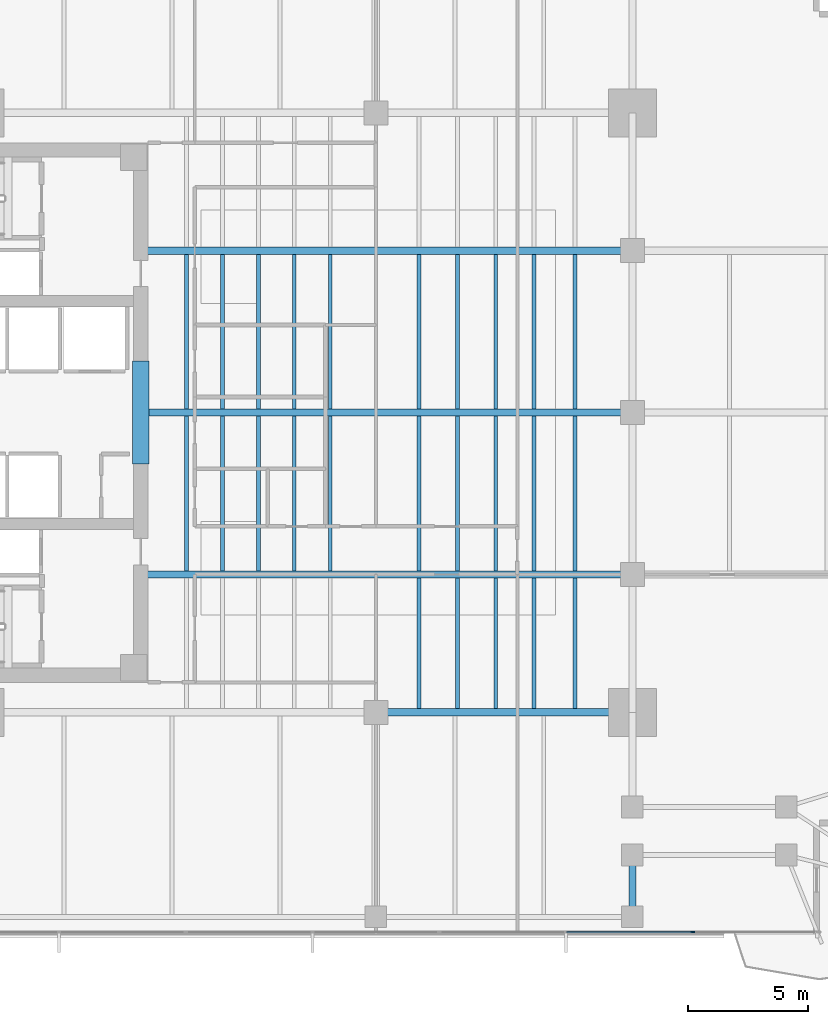
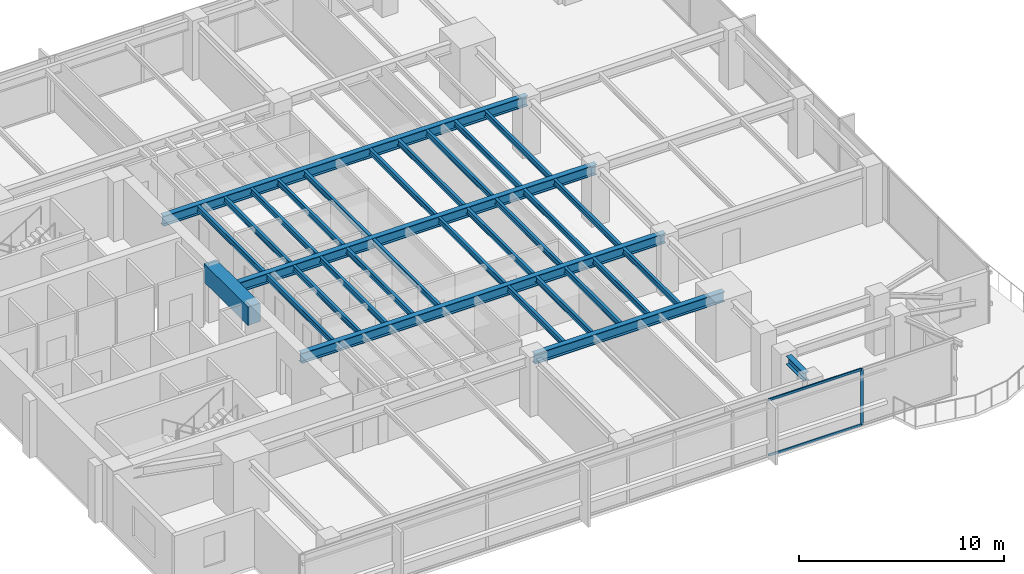
# One storey, part 3 of 14: 31 beams, 3 members, 1 element without a shape of its own.
"""IFC4 building model written with IfcOpenShell, lengths in metres."""

from ifc_helpers import new_model, si_unit, direction, frame, origin, origin_2d, place, context, subcontext, project, spatial, rectangle, i_section, extrude, material, layer, layer_set, material_profile, profile_set, type_object, element, aggregate, save


model = new_model("IFC4")

# Units and contexts
model_context = context("Model", 3, precision=1e-05, world=origin(), true_north=direction((0.0, 1.0)))
body_context = subcontext(model_context, "Body", "Model", "MODEL_VIEW")
ifc_project = project(units=[si_unit("LENGTHUNIT", "METRE"), si_unit("AREAUNIT", "SQUARE_METRE"), si_unit("VOLUMEUNIT", "CUBIC_METRE"), si_unit("PLANEANGLEUNIT", "RADIAN"), si_unit("MASSUNIT", "GRAM", prefix="KILO")], contexts=[model_context])

# Site, building, storey
site_placement = place(None, origin())
site = spatial("IfcSite", under=ifc_project, at=site_placement, CompositionType="ELEMENT")
building_placement = place(site_placement, origin())
building = spatial("IfcBuilding", under=site, at=building_placement, Name="Kinhvarn Gate Tower", CompositionType="ELEMENT")
storey_placement = place(building_placement, frame((0.0, 0.0, 141.300048828125)))
storey = spatial("IfcBuildingStorey", under=building, at=storey_placement, Name="L37", CompositionType="ELEMENT", Elevation=141.300048828125)

# Beam
ifc_material_1 = material(Name="Concrete C70/85", Category="concrete")
ifc_material_profile_1 = material_profile(ifc_material_1, rectangle(XDim=0.699951171875, YDim=1.10009765625, at=origin_2d()), Name="RC 700x1100")
ifc_profile_set_1 = profile_set([ifc_material_profile_1], Name="Concrete C70/85")
beam_type_1 = type_object("IfcBeamType", Name="BM-CB-1100", PredefinedType="LINTEL", material=ifc_profile_set_1)
beam_1_placement = place(storey_placement, frame((17.699951171875, 23.10009765625, 2.820068359375), z_axis=(0.0, 1.0, 0.0), x_axis=(-1.0, 0.0, 0.0)))
element("IfcBeam", 1, at=beam_1_placement, inside=storey, type_object=beam_type_1, Name="Core East Portal Coupling Beam L37", PredefinedType="LINTEL", context=body_context, shape_type="SweptSolid", body=[
    extrude(rectangle(XDim=0.699951171875, YDim=1.10009765625, at=origin_2d()), origin(), (0.0, 0.0, 1.0), 4.2998046875),
])

# Curtain wall, members
ifc_material_2 = material(Name="Anodised aluminium AW-6063", Category="aluminium")
ifc_layer = layer(ifc_material_2, 0.179931640625)
ifc_layer_set = layer_set([ifc_layer], Name="Anodised aluminium AW-6063")
curtain_wall_type = type_object("IfcCurtainWallType", Name="CW-SYS-3", PredefinedType="NOTDEFINED", material=ifc_layer_set)
curtain_wall_placement = place(storey_placement, origin())
curtain_wall = element("IfcCurtainWall", 2, at=curtain_wall_placement, inside=storey, type_object=curtain_wall_type, Name="Curtain Wall CW3 (L37)", PredefinedType="NOTDEFINED")
ifc_material_profile_2 = material_profile(ifc_material_2, rectangle(XDim=0.06494140625, YDim=0.159912109375, at=origin_2d()), Name="ALU 65x160")
ifc_profile_set_2 = profile_set([ifc_material_profile_2], Name="Anodised aluminium AW-6063")
member_type_1 = type_object("IfcMemberType", Name="CW-MUL-160", PredefinedType="MULLION", material=ifc_profile_set_2)
member_1_placement = place(storey_placement, frame((40.71435546875, 3.590087890625, 0.0), z_axis=(0.0, 0.0, 1.0), x_axis=(0.0, 1.0, 0.0)))
member_1 = element("IfcMember", 3, at=member_1_placement, type_object=member_type_1, Name="CW3 mullion 7", PredefinedType="MULLION", context=body_context, shape_type="SweptSolid", body=[
    extrude(rectangle(XDim=0.06494140625, YDim=0.159912109375, at=origin_2d()), origin(), (0.0, 0.0, 1.0), 3.369873046875),
])
ifc_material_profile_3 = material_profile(ifc_material_2, rectangle(XDim=0.070068359375, YDim=0.139892578125, at=origin_2d()), Name="ALU 70x140")
ifc_profile_set_3 = profile_set([ifc_material_profile_3], Name="Anodised aluminium AW-6063")
member_type_2 = type_object("IfcMemberType", Name="CW-TRN-140", PredefinedType="USERDEFINED", material=ifc_profile_set_3)
member_2_placement = place(storey_placement, frame((35.461181640625, 3.590087890625, 0.034912109375), z_axis=(1.0, 0.0, 0.0), x_axis=(0.0, 1.0, 0.0)))
member_2 = element("IfcMember", 4, at=member_2_placement, type_object=member_type_2, Name="CW3 transom 6.1", ObjectType="TRANSOM", PredefinedType="USERDEFINED", context=body_context, shape_type="SweptSolid", body=[
    extrude(rectangle(XDim=0.070068359375, YDim=0.139892578125, at=origin_2d()), origin(), (0.0, 0.0, 1.0), 5.220703125),
])
member_3_placement = place(storey_placement, frame((35.461181640625, 3.590087890625, 3.3349609375), z_axis=(1.0, 0.0, 0.0), x_axis=(0.0, 1.0, 0.0)))
member_3 = element("IfcMember", 5, at=member_3_placement, type_object=member_type_2, Name="CW3 transom 6.2", ObjectType="TRANSOM", PredefinedType="USERDEFINED", context=body_context, shape_type="SweptSolid", body=[
    extrude(rectangle(XDim=0.070068359375, YDim=0.139892578125, at=origin_2d()), origin(), (0.0, 0.0, 1.0), 5.220703125),
])
aggregate(curtain_wall, [member_1, member_2, member_3])

# Beams
ifc_material_3 = material(Name="Steel S355", Category="steel")
ifc_material_profile_4 = material_profile(ifc_material_3, i_section(OverallWidth=0.300048828125, OverallDepth=0.5, WebThickness=0.014404296875, FlangeThickness=0.028076171875, at=origin_2d()), Name="HEB 500")
ifc_profile_set_4 = profile_set([ifc_material_profile_4], Name="Steel S355")
beam_type_2 = type_object("IfcBeamType", Name="STL-HEB500", PredefinedType="BEAM", material=ifc_profile_set_4)
beam_2_placement = place(storey_placement, frame((38.199951171875, 4.655029296875, 3.119873046875), z_axis=(0.0, 1.0, 0.0), x_axis=(-1.0, 0.0, 0.0)))
element("IfcBeam", 6, at=beam_2_placement, inside=storey, type_object=beam_type_2, Name="Floor Beam PG-14 (L37 MCE-S-A0)", PredefinedType="BEAM", context=body_context, shape_type="SweptSolid", body=[
    extrude(i_section(OverallWidth=0.300048828125, OverallDepth=0.5, WebThickness=0.014404296875, FlangeThickness=0.028076171875, at=origin_2d()), origin(), (0.0, 0.0, 1.0), 1.7099609375),
])
ifc_material_profile_5 = material_profile(ifc_material_3, i_section(OverallWidth=0.300048828125, OverallDepth=0.60009765625, WebThickness=0.015380859375, FlangeThickness=0.030029296875, at=origin_2d()), Name="HEB 600")
ifc_profile_set_5 = profile_set([ifc_material_profile_5], Name="Steel S355")
beam_type_3 = type_object("IfcBeamType", Name="STL-HEB600", PredefinedType="BEAM", material=ifc_profile_set_5)
beam_3_placement = place(storey_placement, frame((27.5, 12.75, 3.070068359375), z_axis=(1.0, 0.0, 0.0), x_axis=(0.0, 1.0, 0.0)))
element("IfcBeam", 7, at=beam_3_placement, inside=storey, type_object=beam_type_3, Name="Floor Beam PG-16 (L37 MG-S2)", PredefinedType="BEAM", context=body_context, shape_type="SweptSolid", body=[
    extrude(i_section(OverallWidth=0.300048828125, OverallDepth=0.60009765625, WebThickness=0.015380859375, FlangeThickness=0.030029296875, at=origin_2d()), origin(), (0.0, 0.0, 1.0), 10.699951171875),
])
beam_4_placement = place(storey_placement, frame((17.64990234375, 18.5, 3.070068359375), z_axis=(1.0, 0.0, 0.0), x_axis=(0.0, 1.0, 0.0)))
element("IfcBeam", 8, at=beam_4_placement, inside=storey, type_object=beam_type_3, Name="Floor Beam PG-16 (L37 EW1-Y18)", PredefinedType="BEAM", context=body_context, shape_type="SweptSolid", body=[
    extrude(i_section(OverallWidth=0.300048828125, OverallDepth=0.60009765625, WebThickness=0.015380859375, FlangeThickness=0.030029296875, at=origin_2d()), origin(), (0.0, 0.0, 1.0), 20.550048828125),
])
beam_5_placement = place(storey_placement, frame((18.050048828125, 25.25, 3.070068359375), z_axis=(1.0, 0.0, 0.0), x_axis=(0.0, 1.0, 0.0)))
element("IfcBeam", 9, at=beam_5_placement, inside=storey, type_object=beam_type_3, Name="Floor Beam PG-16 (L37 EW1-Y25)", PredefinedType="BEAM", context=body_context, shape_type="SweptSolid", body=[
    extrude(i_section(OverallWidth=0.300048828125, OverallDepth=0.60009765625, WebThickness=0.015380859375, FlangeThickness=0.030029296875, at=origin_2d()), origin(), (0.0, 0.0, 1.0), 20.14990234375),
])
beam_6_placement = place(storey_placement, frame((17.64990234375, 32.0, 3.070068359375), z_axis=(1.0, 0.0, 0.0), x_axis=(0.0, 1.0, 0.0)))
element("IfcBeam", 10, at=beam_6_placement, inside=storey, type_object=beam_type_3, Name="Floor Beam PG-16 (L37 EW1-Y32)", PredefinedType="BEAM", context=body_context, shape_type="SweptSolid", body=[
    extrude(i_section(OverallWidth=0.300048828125, OverallDepth=0.60009765625, WebThickness=0.015380859375, FlangeThickness=0.030029296875, at=origin_2d()), origin(), (0.0, 0.0, 1.0), 20.550048828125),
])
ifc_material_profile_6 = material_profile(ifc_material_3, i_section(OverallWidth=0.159912109375, OverallDepth=0.330078125, WebThickness=0.007568359375, FlangeThickness=0.011474609375, at=origin_2d()), Name="IPE 330")
ifc_profile_set_6 = profile_set([ifc_material_profile_6], Name="Steel S355")
beam_type_4 = type_object("IfcBeamType", Name="STL-IPE330", PredefinedType="JOIST", material=ifc_profile_set_6)
for number, where, z_axis, x_axis, name in (
    (11, (19.60009765625, 18.64990234375, 3.204833984375), (0.0, 1.0, 0.0), (-1.0, 0.0, 0.0), "Floor Joist SB-03 (L37 JC-X196-1)"),
    (12, (19.60009765625, 25.39990234375, 3.204833984375), (0.0, 1.0, 0.0), (-1.0, 0.0, 0.0), "Floor Joist SB-03 (L37 JC-X196-2)"),
    (13, (21.10009765625, 18.64990234375, 3.204833984375), (0.0, 1.0, 0.0), (-1.0, 0.0, 0.0), "Floor Joist SB-03 (L37 JC-X211-1)"),
    (14, (21.10009765625, 25.39990234375, 3.204833984375), (0.0, 1.0, 0.0), (-1.0, 0.0, 0.0), "Floor Joist SB-03 (L37 JC-X211-2)"),
    (15, (22.60009765625, 18.64990234375, 3.204833984375), (0.0, 1.0, 0.0), (-1.0, 0.0, 0.0), "Floor Joist SB-03 (L37 JC-X226-1)"),
    (16, (22.60009765625, 25.39990234375, 3.204833984375), (0.0, 1.0, 0.0), (-1.0, 0.0, 0.0), "Floor Joist SB-03 (L37 JC-X226-2)"),
    (17, (24.10009765625, 18.64990234375, 3.204833984375), (0.0, 1.0, 0.0), (-1.0, 0.0, 0.0), "Floor Joist SB-03 (L37 JC-X241-1)"),
    (18, (24.10009765625, 25.39990234375, 3.204833984375), (0.0, 1.0, 0.0), (-1.0, 0.0, 0.0), "Floor Joist SB-03 (L37 JC-X241-2)"),
    (19, (25.60009765625, 18.64990234375, 3.204833984375), (0.0, 1.0, 0.0), (-1.0, 0.0, 0.0), "Floor Joist SB-03 (L37 JC-X256-1)"),
    (20, (25.60009765625, 25.39990234375, 3.204833984375), (0.0, 1.0, 0.0), (-1.0, 0.0, 0.0), "Floor Joist SB-03 (L37 JC-X256-2)"),
):
    element("IfcBeam", number, at=place(storey_placement, frame(where, z_axis=z_axis, x_axis=x_axis)), inside=storey, type_object=beam_type_4, Name=name, PredefinedType="JOIST", context=body_context, shape_type="SweptSolid", body=[
        extrude(i_section(OverallWidth=0.159912109375, OverallDepth=0.330078125, WebThickness=0.007568359375, FlangeThickness=0.011474609375, at=origin_2d()), origin(), (0.0, 0.0, 1.0), 6.4501953125),
    ])
beam_7_placement = place(storey_placement, frame((29.300048828125, 12.89990234375, 3.204833984375), z_axis=(0.0, 1.0, 0.0), x_axis=(-1.0, 0.0, 0.0)))
element("IfcBeam", 21, at=beam_7_placement, inside=storey, type_object=beam_type_4, Name="Floor Joist SB-03 (L37 JC-X293-0)", PredefinedType="JOIST", context=body_context, shape_type="SweptSolid", body=[
    extrude(i_section(OverallWidth=0.159912109375, OverallDepth=0.330078125, WebThickness=0.007568359375, FlangeThickness=0.011474609375, at=origin_2d()), origin(), (0.0, 0.0, 1.0), 5.4501953125),
])
for number, where, z_axis, x_axis, name in (
    (22, (29.300048828125, 18.64990234375, 3.204833984375), (0.0, 1.0, 0.0), (-1.0, 0.0, 0.0), "Floor Joist SB-03 (L37 JC-X293-1)"),
    (23, (29.300048828125, 25.39990234375, 3.204833984375), (0.0, 1.0, 0.0), (-1.0, 0.0, 0.0), "Floor Joist SB-03 (L37 JC-X293-2)"),
):
    element("IfcBeam", number, at=place(storey_placement, frame(where, z_axis=z_axis, x_axis=x_axis)), inside=storey, type_object=beam_type_4, Name=name, PredefinedType="JOIST", context=body_context, shape_type="SweptSolid", body=[
        extrude(i_section(OverallWidth=0.159912109375, OverallDepth=0.330078125, WebThickness=0.007568359375, FlangeThickness=0.011474609375, at=origin_2d()), origin(), (0.0, 0.0, 1.0), 6.4501953125),
    ])
beam_8_placement = place(storey_placement, frame((30.89990234375, 12.89990234375, 3.204833984375), z_axis=(0.0, 1.0, 0.0), x_axis=(-1.0, 0.0, 0.0)))
element("IfcBeam", 24, at=beam_8_placement, inside=storey, type_object=beam_type_4, Name="Floor Joist SB-03 (L37 JC-X309-0)", PredefinedType="JOIST", context=body_context, shape_type="SweptSolid", body=[
    extrude(i_section(OverallWidth=0.159912109375, OverallDepth=0.330078125, WebThickness=0.007568359375, FlangeThickness=0.011474609375, at=origin_2d()), origin(), (0.0, 0.0, 1.0), 5.4501953125),
])
for number, where, z_axis, x_axis, name in (
    (25, (30.89990234375, 18.64990234375, 3.204833984375), (0.0, 1.0, 0.0), (-1.0, 0.0, 0.0), "Floor Joist SB-03 (L37 JC-X309-1)"),
    (26, (30.89990234375, 25.39990234375, 3.204833984375), (0.0, 1.0, 0.0), (-1.0, 0.0, 0.0), "Floor Joist SB-03 (L37 JC-X309-2)"),
):
    element("IfcBeam", number, at=place(storey_placement, frame(where, z_axis=z_axis, x_axis=x_axis)), inside=storey, type_object=beam_type_4, Name=name, PredefinedType="JOIST", context=body_context, shape_type="SweptSolid", body=[
        extrude(i_section(OverallWidth=0.159912109375, OverallDepth=0.330078125, WebThickness=0.007568359375, FlangeThickness=0.011474609375, at=origin_2d()), origin(), (0.0, 0.0, 1.0), 6.4501953125),
    ])
beam_9_placement = place(storey_placement, frame((32.5, 12.89990234375, 3.204833984375), z_axis=(0.0, 1.0, 0.0), x_axis=(-1.0, 0.0, 0.0)))
element("IfcBeam", 27, at=beam_9_placement, inside=storey, type_object=beam_type_4, Name="Floor Joist SB-03 (L37 JC-X325-0)", PredefinedType="JOIST", context=body_context, shape_type="SweptSolid", body=[
    extrude(i_section(OverallWidth=0.159912109375, OverallDepth=0.330078125, WebThickness=0.007568359375, FlangeThickness=0.011474609375, at=origin_2d()), origin(), (0.0, 0.0, 1.0), 5.4501953125),
])
for number, where, z_axis, x_axis, name in (
    (28, (32.5, 18.64990234375, 3.204833984375), (0.0, 1.0, 0.0), (-1.0, 0.0, 0.0), "Floor Joist SB-03 (L37 JC-X325-1)"),
    (29, (32.5, 25.39990234375, 3.204833984375), (0.0, 1.0, 0.0), (-1.0, 0.0, 0.0), "Floor Joist SB-03 (L37 JC-X325-2)"),
):
    element("IfcBeam", number, at=place(storey_placement, frame(where, z_axis=z_axis, x_axis=x_axis)), inside=storey, type_object=beam_type_4, Name=name, PredefinedType="JOIST", context=body_context, shape_type="SweptSolid", body=[
        extrude(i_section(OverallWidth=0.159912109375, OverallDepth=0.330078125, WebThickness=0.007568359375, FlangeThickness=0.011474609375, at=origin_2d()), origin(), (0.0, 0.0, 1.0), 6.4501953125),
    ])
beam_10_placement = place(storey_placement, frame((34.10009765625, 12.89990234375, 3.204833984375), z_axis=(0.0, 1.0, 0.0), x_axis=(-1.0, 0.0, 0.0)))
element("IfcBeam", 30, at=beam_10_placement, inside=storey, type_object=beam_type_4, Name="Floor Joist SB-03 (L37 JC-X341-0)", PredefinedType="JOIST", context=body_context, shape_type="SweptSolid", body=[
    extrude(i_section(OverallWidth=0.159912109375, OverallDepth=0.330078125, WebThickness=0.007568359375, FlangeThickness=0.011474609375, at=origin_2d()), origin(), (0.0, 0.0, 1.0), 5.4501953125),
])
for number, where, z_axis, x_axis, name in (
    (31, (34.10009765625, 18.64990234375, 3.204833984375), (0.0, 1.0, 0.0), (-1.0, 0.0, 0.0), "Floor Joist SB-03 (L37 JC-X341-1)"),
    (32, (34.10009765625, 25.39990234375, 3.204833984375), (0.0, 1.0, 0.0), (-1.0, 0.0, 0.0), "Floor Joist SB-03 (L37 JC-X341-2)"),
):
    element("IfcBeam", number, at=place(storey_placement, frame(where, z_axis=z_axis, x_axis=x_axis)), inside=storey, type_object=beam_type_4, Name=name, PredefinedType="JOIST", context=body_context, shape_type="SweptSolid", body=[
        extrude(i_section(OverallWidth=0.159912109375, OverallDepth=0.330078125, WebThickness=0.007568359375, FlangeThickness=0.011474609375, at=origin_2d()), origin(), (0.0, 0.0, 1.0), 6.4501953125),
    ])
beam_11_placement = place(storey_placement, frame((35.800048828125, 12.89990234375, 3.204833984375), z_axis=(0.0, 1.0, 0.0), x_axis=(-1.0, 0.0, 0.0)))
element("IfcBeam", 33, at=beam_11_placement, inside=storey, type_object=beam_type_4, Name="Floor Joist SB-03 (L37 JC-X358-0)", PredefinedType="JOIST", context=body_context, shape_type="SweptSolid", body=[
    extrude(i_section(OverallWidth=0.159912109375, OverallDepth=0.330078125, WebThickness=0.007568359375, FlangeThickness=0.011474609375, at=origin_2d()), origin(), (0.0, 0.0, 1.0), 5.4501953125),
])
for number, where, z_axis, x_axis, name in (
    (34, (35.800048828125, 18.64990234375, 3.204833984375), (0.0, 1.0, 0.0), (-1.0, 0.0, 0.0), "Floor Joist SB-03 (L37 JC-X358-1)"),
    (35, (35.800048828125, 25.39990234375, 3.204833984375), (0.0, 1.0, 0.0), (-1.0, 0.0, 0.0), "Floor Joist SB-03 (L37 JC-X358-2)"),
):
    element("IfcBeam", number, at=place(storey_placement, frame(where, z_axis=z_axis, x_axis=x_axis)), inside=storey, type_object=beam_type_4, Name=name, PredefinedType="JOIST", context=body_context, shape_type="SweptSolid", body=[
        extrude(i_section(OverallWidth=0.159912109375, OverallDepth=0.330078125, WebThickness=0.007568359375, FlangeThickness=0.011474609375, at=origin_2d()), origin(), (0.0, 0.0, 1.0), 6.4501953125),
    ])

save(model, "model.ifc")
